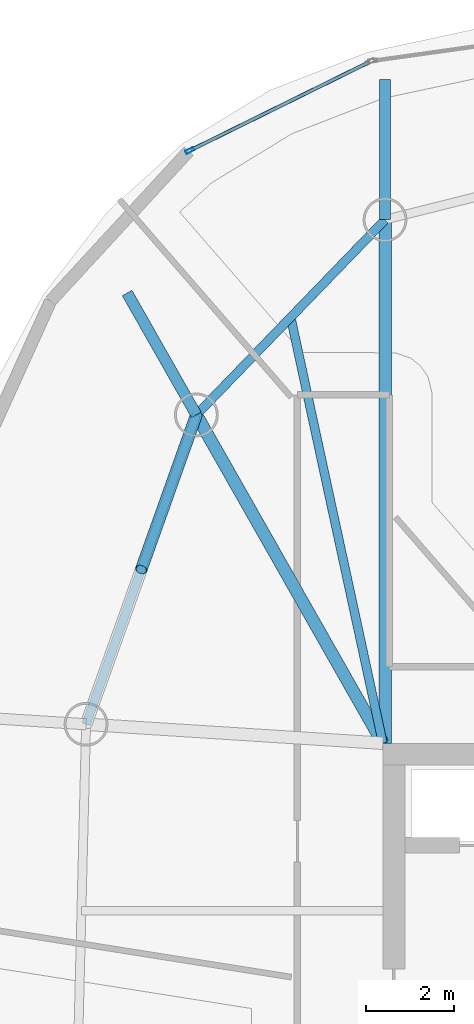
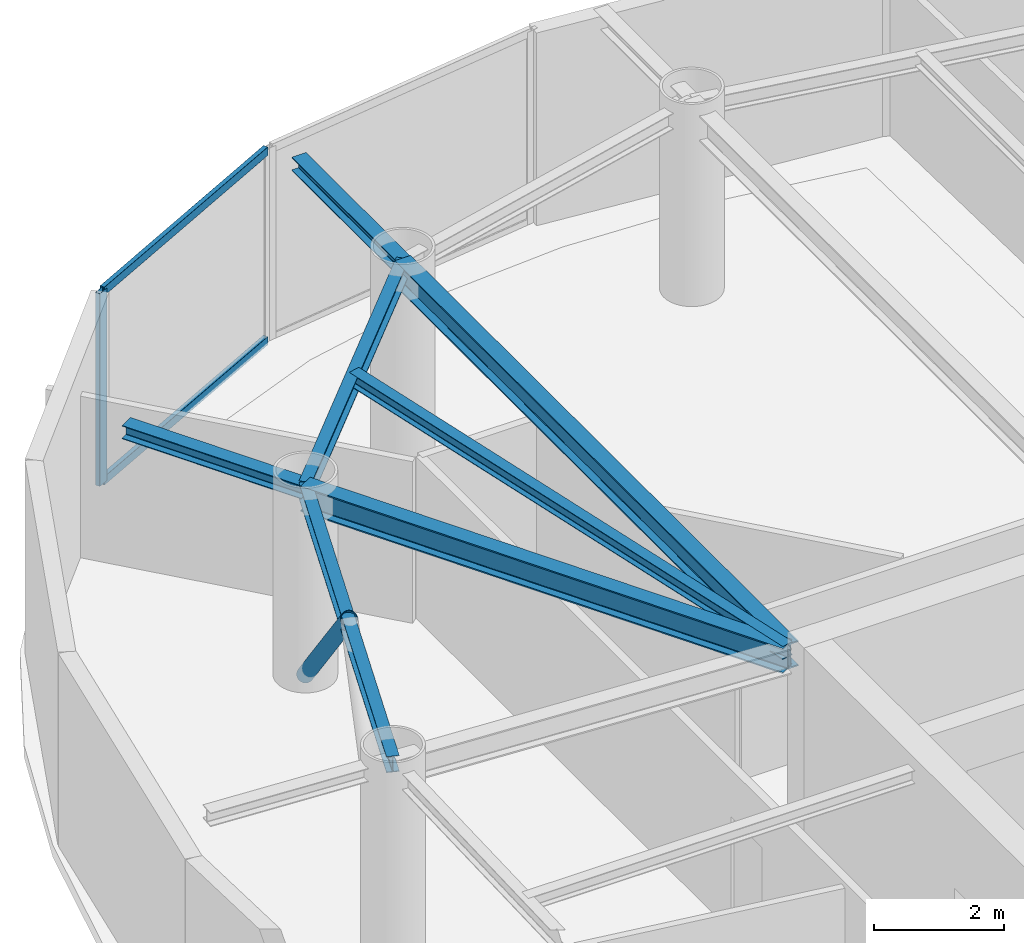
# One storey, part 10 of 20: 7 beams, 4 members, 1 element without a shape of its own.
"""IFC4 building model written with IfcOpenShell, lengths in metres."""

from ifc_helpers import new_model, si_unit, direction, frame, origin, origin_2d, place, context, subcontext, project, spatial, hollow_rectangle, hollow_circle, i_section, extrude, material, layer, layer_set, material_profile, profile_set, type_object, element, aggregate, save


model = new_model("IFC4")

# Units and contexts
model_context = context("Model", 3, precision=1e-05, world=origin(), true_north=direction((0.0, 1.0)))
body_context = subcontext(model_context, "Body", "Model", "MODEL_VIEW")
ifc_project = project(units=[si_unit("LENGTHUNIT", "METRE"), si_unit("AREAUNIT", "SQUARE_METRE"), si_unit("VOLUMEUNIT", "CUBIC_METRE"), si_unit("PLANEANGLEUNIT", "RADIAN"), si_unit("MASSUNIT", "GRAM", prefix="KILO")], contexts=[model_context])

# Site, building, storey
site_placement = place(None, origin())
site = spatial("IfcSite", under=ifc_project, at=site_placement, CompositionType="ELEMENT")
building_placement = place(site_placement, origin())
building = spatial("IfcBuilding", under=site, at=building_placement, Name="Bramvorn Convention Spire", CompositionType="ELEMENT")
storey_placement = place(building_placement, frame((0.0, 0.0, 245.89990234375)))
storey = spatial("IfcBuildingStorey", under=building, at=storey_placement, Name="L62", CompositionType="ELEMENT", Elevation=245.89990234375)

# Beams
ifc_material_1 = material(Name="Steel CSA G40.21 Grade 350 (350W)", Category="steel")
ifc_material_profile_1 = material_profile(ifc_material_1, i_section(OverallWidth=0.201904296875, OverallDepth=0.2470703125, WebThickness=0.00732421875, FlangeThickness=0.010986328125, FilletRadius=0.011962890625, at=origin_2d()))
ifc_profile_set_1 = profile_set([ifc_material_profile_1], Name="Steel CSA G40.21 Grade 350 (350W) - W250X49")
beam_type_1 = type_object("IfcBeamType", Name="BM-W250X49", PredefinedType="JOIST", material=ifc_profile_set_1)
beam_1_placement = place(storey_placement, frame((26.75, 33.449951171875, 3.501708984375), z_axis=(-0.211461445939, 0.977386339623, 0.0), x_axis=(-0.977386339623, -0.211461445939, 0.0)))
element("IfcBeam", 1, at=beam_1_placement, inside=storey, type_object=beam_type_1, Name="L62 composite floor joist 09", PredefinedType="JOIST", context=body_context, shape_type="SweptSolid", body=[
    extrude(i_section(OverallWidth=0.201904296875, OverallDepth=0.2470703125, WebThickness=0.00732421875, FlangeThickness=0.010986328125, FilletRadius=0.011962890625, at=origin_2d()), origin(), (0.0, 0.0, 1.0), 9.9462890625),
])
ifc_material_profile_2 = material_profile(ifc_material_1, i_section(OverallWidth=0.25390625, OverallDepth=0.2529296875, WebThickness=0.008544921875, FlangeThickness=0.01416015625, FilletRadius=0.011962890625, at=origin_2d()))
ifc_profile_set_2 = profile_set([ifc_material_profile_2], Name="Steel CSA G40.21 Grade 350 (350W) - W250X73")
beam_type_2 = type_object("IfcBeamType", Name="BM-W250X73", PredefinedType="BEAM", material=ifc_profile_set_2)
beam_2_placement = place(storey_placement, frame((26.800048828125, 45.39892578125, 3.49853515625), z_axis=(0.0, 1.0, 0.0), x_axis=(-1.0, 0.0, 0.0)))
element("IfcBeam", 2, at=beam_2_placement, inside=storey, type_object=beam_type_2, Name="L62 slab-edge cantilever tip beam MC09", PredefinedType="BEAM", context=body_context, shape_type="SweptSolid", body=[
    extrude(i_section(OverallWidth=0.25390625, OverallDepth=0.2529296875, WebThickness=0.008544921875, FlangeThickness=0.01416015625, FilletRadius=0.011962890625, at=origin_2d()), origin(), (0.0, 0.0, 1.0), 3.2001953125),
])
beam_3_placement = place(storey_placement, frame((22.49365234375, 40.94384765625, 3.49853515625), z_axis=(-0.493918961888, 0.869507940785, 0.0), x_axis=(-0.869507940785, -0.493918961888, 0.0)))
element("IfcBeam", 3, at=beam_3_placement, inside=storey, type_object=beam_type_2, Name="L62 slab-edge cantilever tip beam MC10", PredefinedType="BEAM", context=body_context, shape_type="SweptSolid", body=[
    extrude(i_section(OverallWidth=0.25390625, OverallDepth=0.2529296875, WebThickness=0.008544921875, FlangeThickness=0.01416015625, FilletRadius=0.011962890625, at=origin_2d()), origin(), (0.0, 0.0, 1.0), 3.199951171875),
])
ifc_material_profile_3 = material_profile(ifc_material_1, i_section(OverallWidth=0.202880859375, OverallDepth=0.302978515625, WebThickness=0.007568359375, FlangeThickness=0.01318359375, FilletRadius=0.013916015625, at=origin_2d()))
ifc_profile_set_3 = profile_set([ifc_material_profile_3], Name="Steel CSA G40.21 Grade 350 (350W) - W310X60")
beam_type_3 = type_object("IfcBeamType", Name="BM-W310X60", PredefinedType="JOIST", material=ifc_profile_set_3)
beam_4_placement = place(storey_placement, frame((26.800048828125, 45.39892578125, 3.4736328125), z_axis=(-0.695007159797, -0.719002814898, 0.0), x_axis=(0.719002814898, -0.695007159797, 0.0)))
element("IfcBeam", 4, at=beam_4_placement, inside=storey, type_object=beam_type_3, Name="L62 mega-column ring beam 09", PredefinedType="JOIST", context=body_context, shape_type="SweptSolid", body=[
    extrude(i_section(OverallWidth=0.202880859375, OverallDepth=0.302978515625, WebThickness=0.007568359375, FlangeThickness=0.01318359375, FilletRadius=0.013916015625, at=origin_2d()), origin(), (0.0, 0.0, 1.0), 6.1962890625),
])
beam_5_placement = place(storey_placement, frame((22.49365234375, 40.94384765625, 3.4736328125), z_axis=(-0.335839090413, -0.941919373063, 0.0), x_axis=(0.941919373063, -0.335839090413, 0.0)))
element("IfcBeam", 5, at=beam_5_placement, inside=storey, type_object=beam_type_3, Name="L62 mega-column ring beam 10", PredefinedType="JOIST", context=body_context, shape_type="SweptSolid", body=[
    extrude(i_section(OverallWidth=0.202880859375, OverallDepth=0.302978515625, WebThickness=0.007568359375, FlangeThickness=0.01318359375, FilletRadius=0.013916015625, at=origin_2d()), origin(), (0.0, 0.0, 1.0), 7.49560546875),
])
ifc_material_profile_4 = material_profile(ifc_material_1, i_section(OverallWidth=0.283935546875, OverallDepth=0.47607421875, WebThickness=0.014892578125, FlangeThickness=0.02392578125, FilletRadius=0.01806640625, at=origin_2d()))
ifc_profile_set_4 = profile_set([ifc_material_profile_4], Name="Steel CSA G40.21 Grade 350 (350W) - W460X158")
beam_type_4 = type_object("IfcBeamType", Name="BM-W460X158", PredefinedType="SPANDREL", material=ifc_profile_set_4)
beam_6_placement = place(storey_placement, frame((26.800048828125, 33.449951171875, 3.38720703125), z_axis=(0.0, 1.0, 0.0), x_axis=(-1.0, 0.0, 0.0)))
element("IfcBeam", 6, at=beam_6_placement, inside=storey, type_object=beam_type_4, Name="L62 radial floor girder MC09", PredefinedType="SPANDREL", context=body_context, shape_type="SweptSolid", body=[
    extrude(i_section(OverallWidth=0.283935546875, OverallDepth=0.47607421875, WebThickness=0.014892578125, FlangeThickness=0.02392578125, FilletRadius=0.01806640625, at=origin_2d()), origin(), (0.0, 0.0, 1.0), 11.948974609375),
])
beam_7_placement = place(storey_placement, frame((26.75, 33.449951171875, 3.38720703125), z_axis=(-0.493873612118, 0.869533699895, 0.0), x_axis=(-0.869533699895, -0.493873612118, 0.0)))
element("IfcBeam", 7, at=beam_7_placement, inside=storey, type_object=beam_type_4, Name="L62 radial floor girder MC10", PredefinedType="SPANDREL", context=body_context, shape_type="SweptSolid", body=[
    extrude(i_section(OverallWidth=0.283935546875, OverallDepth=0.47607421875, WebThickness=0.014892578125, FlangeThickness=0.02392578125, FilletRadius=0.01806640625, at=origin_2d()), origin(), (0.0, 0.0, 1.0), 8.618408203125),
])

# Curtain wall, members
ifc_material_2 = material(Name="Anodised Bronze Unitised Curtain Wall", Category="aluminium")
ifc_layer = layer(ifc_material_2, 0.179931640625)
ifc_layer_set = layer_set([ifc_layer], Name="Anodised Bronze Unitised Curtain Wall - CW-OFF-FRIT")
curtain_wall_type = type_object("IfcCurtainWallType", Name="CW-OFF-FRIT", PredefinedType="USERDEFINED", material=ifc_layer_set)
curtain_wall_placement = place(storey_placement, origin())
curtain_wall = element("IfcCurtainWall", 8, at=curtain_wall_placement, inside=storey, type_object=curtain_wall_type, Name="L62 fritted glass curtain wall 12", ObjectType="UNITISED CURTAIN WALL", PredefinedType="USERDEFINED")
ifc_material_3 = material(Name="Anodised Bronze Aluminium 6063-T6", Category="aluminium")
ifc_material_profile_5 = material_profile(ifc_material_3, hollow_rectangle(XDim=0.080078125, YDim=0.199951171875, WallThickness=0.00390625, InnerFilletRadius=0.0009765625, OuterFilletRadius=0.00390625, at=origin_2d()))
ifc_profile_set_5 = profile_set([ifc_material_profile_5], Name="Anodised Bronze Aluminium 6063-T6 - CWM80X200")
member_type_1 = type_object("IfcMemberType", Name="CW-MUL-180", PredefinedType="MULLION", material=ifc_profile_set_5)
member_1_placement = place(storey_placement, frame((22.344482421875, 46.976318359375, 0.0), z_axis=(0.0, 0.0, 1.0), x_axis=(-0.442355982051, 0.896839553735, 0.0)))
member_1 = element("IfcMember", 9, at=member_1_placement, type_object=member_type_1, Name="CW3 mullion 1", PredefinedType="MULLION", context=body_context, shape_type="SweptSolid", body=[
    extrude(hollow_rectangle(XDim=0.080078125, YDim=0.199951171875, WallThickness=0.00390625, InnerFilletRadius=0.0009765625, OuterFilletRadius=0.00390625, at=origin_2d()), origin(), (0.0, 0.0, 1.0), 3.625),
])
ifc_material_profile_6 = material_profile(ifc_material_3, hollow_rectangle(XDim=0.080078125, YDim=0.159912109375, WallThickness=0.00390625, InnerFilletRadius=0.0009765625, OuterFilletRadius=0.00390625, at=origin_2d()))
ifc_profile_set_6 = profile_set([ifc_material_profile_6], Name="Anodised Bronze Aluminium 6063-T6 - CWT80X160")
member_type_2 = type_object("IfcMemberType", Name="CW-TRN-150", PredefinedType="USERDEFINED", material=ifc_profile_set_6)
member_2_placement = place(storey_placement, frame((22.371337890625, 46.98974609375, 0.030029296875), z_axis=(0.896860328582, 0.442313860302, 0.0), x_axis=(-0.442313860302, 0.896860328582, 0.0)))
member_2 = element("IfcMember", 10, at=member_2_placement, type_object=member_type_2, Name="CW3 transom 1.1", ObjectType="TRANSOM", PredefinedType="USERDEFINED", context=body_context, shape_type="SweptSolid", body=[
    extrude(hollow_rectangle(XDim=0.080078125, YDim=0.159912109375, WallThickness=0.00390625, InnerFilletRadius=0.0009765625, OuterFilletRadius=0.00390625, at=origin_2d()), origin(), (0.0, 0.0, 1.0), 4.530517578125),
])
member_3_placement = place(storey_placement, frame((22.371337890625, 46.98974609375, 3.59521484375), z_axis=(0.896860328582, 0.442313860302, 0.0), x_axis=(-0.442313860302, 0.896860328582, 0.0)))
member_3 = element("IfcMember", 11, at=member_3_placement, type_object=member_type_2, Name="CW3 transom 1.2", ObjectType="TRANSOM", PredefinedType="USERDEFINED", context=body_context, shape_type="SweptSolid", body=[
    extrude(hollow_rectangle(XDim=0.080078125, YDim=0.159912109375, WallThickness=0.00390625, InnerFilletRadius=0.0009765625, OuterFilletRadius=0.00390625, at=origin_2d()), origin(), (0.0, 0.0, 1.0), 4.530517578125),
])
aggregate(curtain_wall, [member_1, member_2, member_3])

# Member
ifc_material_profile_7 = material_profile(ifc_material_1, hollow_circle(Radius=0.136474609375, WallThickness=0.0126953125, at=origin_2d()))
ifc_profile_set_7 = profile_set([ifc_material_profile_7], Name="Steel CSA G40.21 Grade 350 (350W) - CHS273X13")
member_type_3 = type_object("IfcMemberType", Name="MBR-CHS273X13", PredefinedType="BRACE", material=ifc_profile_set_7)
member_4_placement = place(storey_placement, frame((22.49365234375, 40.94384765625, 0.0), z_axis=(-0.241415019829, -0.677048329465, 0.695215324751), x_axis=(0.941912743486, -0.335857683639, 0.0)))
element("IfcMember", 12, at=member_4_placement, inside=storey, type_object=member_type_3, Name="L62 perimeter Gothic lancet brace 10A", PredefinedType="BRACE", context=body_context, shape_type="SweptSolid", body=[
    extrude(hollow_circle(Radius=0.136474609375, WallThickness=0.0126953125, at=origin_2d()), origin(), (0.0, 0.0, 1.0), 5.214111328125),
])

save(model, "model.ifc")
